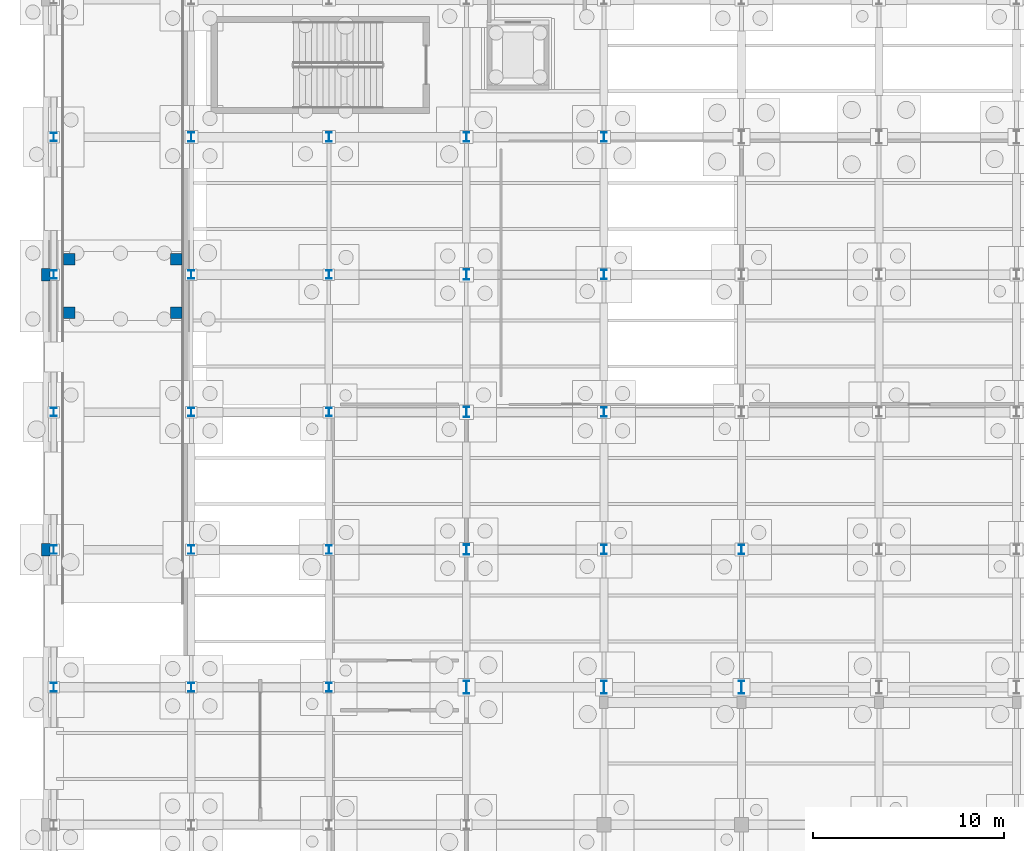
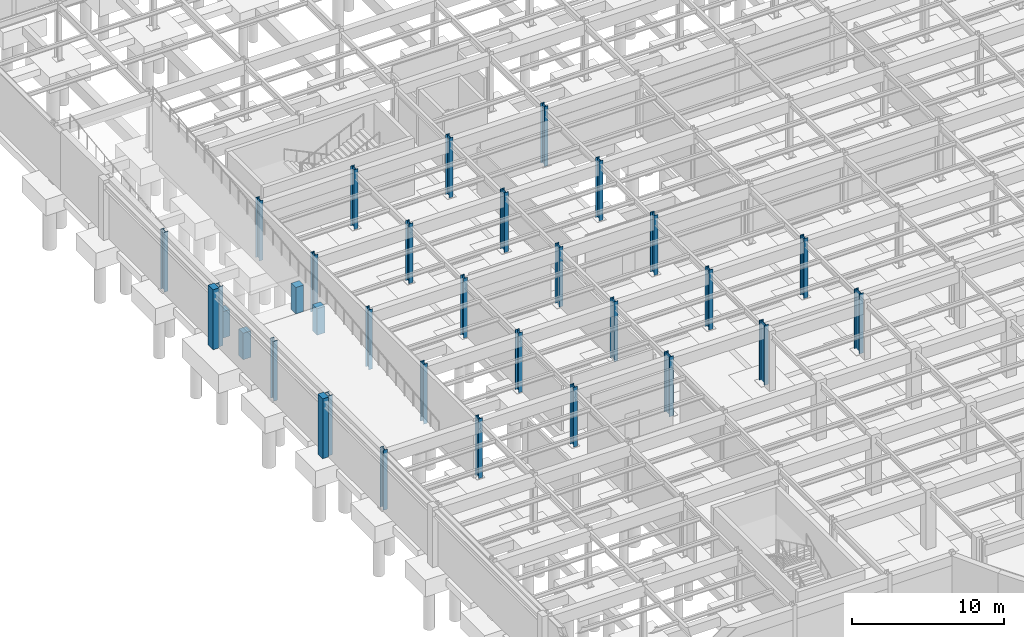
# One storey, part 23 of 64: 33 columns.
"""IFC4 building model written with IfcOpenShell, lengths in metres."""

import ifcopenshell
import ifcopenshell.guid

model = None  # the IFC model being written
_history = None  # IfcOwnerHistory: only IFC2X3 demands one
_inside = {}  # id of a spatial element -> (the spatial element, [elements in it])
_under = {}  # id of a project, library or spatial element -> (it, [spatial elements below it])
_declared = {}  # id of a project -> (the project, [libraries it declares])
_typed = {}  # id of a type object -> (the type object, [elements of that type])
_made_of = {}  # id of a material, layer set ... -> (it, [elements and type objects made of it])


def new_model(schema):
    """Start an empty IFC model of exactly this schema.

    Asked for "IFC4X3", IfcOpenShell would pick the latest addendum, in which some entities
    have other attributes; the version numbers below select the first issue.
    IFC2X3 requires an IfcOwnerHistory on every rooted entity: one is made here for all.
    """
    global model, _history
    if schema == "IFC4X3":
        model = ifcopenshell.file(schema_version=(4, 3, 0, 0))
    else:
        model = ifcopenshell.file(schema=schema)
    _inside.clear()
    _under.clear()
    _declared.clear()
    _typed.clear()
    _made_of.clear()
    _history = None
    if model.schema == "IFC2X3":
        org = make("IfcOrganization", Name="unknown")
        user = make(
            "IfcPersonAndOrganization",
            ThePerson=make("IfcPerson", FamilyName="unknown"),
            TheOrganization=org,
        )
        app = make(
            "IfcApplication",
            ApplicationDeveloper=org,
            Version="unknown",
            ApplicationFullName="unknown",
            ApplicationIdentifier="unknown",
        )
        _history = make(
            "IfcOwnerHistory",
            OwningUser=user,
            OwningApplication=app,
            ChangeAction="ADDED",
            CreationDate=0,
        )
    return model


def make(cls, **values):
    """One entity of the class cls with the attributes given. An attribute that is None is left unset."""
    return model.create_entity(
        cls, **{name: value for name, value in values.items() if value is not None}
    )


def rooted(cls, **values):
    """An entity with a GlobalId (a new one), such as an element, a storey or a relation."""
    return make(cls, GlobalId=ifcopenshell.guid.new(), OwnerHistory=_history, **values)


def si_unit(unit_type, name, prefix=None):
    """IfcSIUnit, for example si_unit("LENGTHUNIT", "METRE", prefix="MILLI")."""
    return make("IfcSIUnit", UnitType=unit_type, Prefix=prefix, Name=name)


def assignment(units):
    """IfcUnitAssignment: the units of a project."""
    return None if units is None else make("IfcUnitAssignment", Units=units)


def point(xyz):
    """IfcCartesianPoint."""
    return None if xyz is None else make("IfcCartesianPoint", Coordinates=xyz)


def direction(xyz):
    """IfcDirection."""
    return None if xyz is None else make("IfcDirection", DirectionRatios=xyz)


def frame(location, z_axis=None, x_axis=None):
    """IfcAxis2Placement3D, a coordinate frame: its origin and axes. An axis left out is left unset."""
    return make(
        "IfcAxis2Placement3D",
        Location=point(location),
        Axis=direction(z_axis),
        RefDirection=direction(x_axis),
    )


def frame_2d(location, x_axis=None):
    """IfcAxis2Placement2D, a coordinate frame in the plane: its origin and x axis."""
    return make(
        "IfcAxis2Placement2D", Location=point(location), RefDirection=direction(x_axis)
    )


def origin():
    """The frame at (0, 0, 0) with its axes left unset."""
    return frame((0.0, 0.0, 0.0))


def origin_2d():
    """The frame at (0, 0) in the plane with its x axis left unset."""
    return frame_2d((0.0, 0.0))


def place(relative_to, where):
    """IfcLocalPlacement: puts the frame where relative to a parent placement (None: the world)."""
    return make(
        "IfcLocalPlacement", PlacementRelTo=relative_to, RelativePlacement=where
    )


def context(
    kind, dimensions, precision=None, world=None, true_north=None, identifier=None
):
    """IfcGeometricRepresentationContext, for example the 3D "Model" context."""
    return make(
        "IfcGeometricRepresentationContext",
        ContextIdentifier=identifier,
        ContextType=kind,
        CoordinateSpaceDimension=dimensions,
        Precision=precision,
        WorldCoordinateSystem=world,
        TrueNorth=true_north,
    )


def subcontext(parent, identifier, kind, view, scale=None):
    """IfcGeometricRepresentationSubContext, for example "Body" below "Model"."""
    return make(
        "IfcGeometricRepresentationSubContext",
        ContextIdentifier=identifier,
        ContextType=kind,
        ParentContext=parent,
        TargetScale=scale,
        TargetView=view,
    )


def project(units=None, contexts=None):
    """IfcProject with its units and contexts."""
    return rooted(
        "IfcProject",
        Name="project",
        RepresentationContexts=contexts,
        UnitsInContext=assignment(units),
    )


def spatial(cls, under=None, at=None, **own):
    """A site, building, storey or space (cls), placed at a placement, below another one or the project."""
    s = rooted(cls, ObjectPlacement=at, **own)
    if under is not None:
        _under.setdefault(under.id(), (under, []))[1].append(s)
    return s


def profile(cls, at=None, kind="AREA", **sizes):
    """A parametric profile (cls). Its sizes go by their IFC names, for example OverallWidth=200.0."""
    return make(cls, ProfileType=kind, Position=at, **sizes)


def rectangle(**sizes):
    """IfcRectangleProfileDef."""
    return profile("IfcRectangleProfileDef", **sizes)


def i_section(**sizes):
    """IfcIShapeProfileDef."""
    return profile("IfcIShapeProfileDef", **sizes)


def extrude(swept, where, along, depth):
    """IfcExtrudedAreaSolid: the profile swept, set in the frame where, extruded along a direction by depth."""
    return make(
        "IfcExtrudedAreaSolid",
        SweptArea=swept,
        Position=where,
        ExtrudedDirection=direction(along),
        Depth=depth,
    )


def shape(context_of_items, identifier, shape_type, items):
    """IfcShapeRepresentation: the items that make up one representation, for example the "Body"."""
    return make(
        "IfcShapeRepresentation",
        ContextOfItems=context_of_items,
        RepresentationIdentifier=identifier,
        RepresentationType=shape_type,
        Items=items,
    )


def material(Name=None, Category=None):
    """IfcMaterial."""
    return make("IfcMaterial", Name=Name, Category=Category)


def material_profile(
    of_material, cross_section, Name=None, Category=None, Priority=None
):
    """IfcMaterialProfile: a cross section and its material."""
    return make(
        "IfcMaterialProfile",
        Name=Name,
        Material=of_material,
        Profile=cross_section,
        Priority=Priority,
        Category=Category,
    )


def profile_set(profiles, Name=None, composite=None):
    """IfcMaterialProfileSet."""
    return make(
        "IfcMaterialProfileSet",
        Name=Name,
        MaterialProfiles=profiles,
        CompositeProfile=composite,
    )


def made_of(thing, what):
    """Note that an element or type object is made of a material, layer set ...; save() writes the relation."""
    if what is not None:
        _made_of.setdefault(what.id(), (what, []))[1].append(thing)
    return thing


def type_object(cls, material=None, **own):
    """A type object (cls), such as IfcWallType, which elements share."""
    return made_of(rooted(cls, **own), material)


def element(
    cls,
    number,
    at=None,
    inside=None,
    cuts=None,
    type_object=None,
    material=None,
    context=None,
    identifier="Body",
    shape_type=None,
    held_by="IfcProductDefinitionShape",
    body=None,
    shapes=None,
    **own,
):
    """One element of the class cls, such as IfcWall. Its Tag is "e" and its number.

    at: its placement. inside: the storey or other place that contains it. cuts: it is an
    opening in that element (IfcRelVoidsElement). A single representation is given by context,
    identifier, shape_type and body (its items); several are given by shapes. held_by: the class
    of the entity that holds the representations. save() writes the other relations.
    """
    e = rooted(cls, Tag="e%d" % number, ObjectPlacement=at, **own)
    if body is not None:
        shapes = [shape(context, identifier, shape_type, body)]
    if shapes is not None:
        e.Representation = make(held_by, Representations=shapes)
    if inside is not None:
        _inside.setdefault(inside.id(), (inside, []))[1].append(e)
    if cuts is not None:
        rooted(
            "IfcRelVoidsElement", RelatingBuildingElement=cuts, RelatedOpeningElement=e
        )
    if type_object is not None:
        _typed.setdefault(type_object.id(), (type_object, []))[1].append(e)
    return made_of(e, material)


def aggregate(whole, parts):
    """IfcRelAggregates: a whole, such as a stair, and the parts it consists of."""
    return rooted("IfcRelAggregates", RelatingObject=whole, RelatedObjects=parts)


def save(model, path):
    """Write the relations noted so far, then the file.

    IfcRelAggregates (storeys below a building ...), IfcRelContainedInSpatialStructure (elements
    in a storey), IfcRelDefinesByType, IfcRelAssociatesMaterial and IfcRelDeclares: one each for
    every whole, place, type object, material and project.
    """
    for whole, parts in _under.values():
        aggregate(whole, parts)
    for where, things in _inside.values():
        rooted(
            "IfcRelContainedInSpatialStructure",
            RelatedElements=things,
            RelatingStructure=where,
        )
    for kind, things in _typed.values():
        rooted("IfcRelDefinesByType", RelatedObjects=things, RelatingType=kind)
    for what, things in _made_of.values():
        rooted("IfcRelAssociatesMaterial", RelatedObjects=things, RelatingMaterial=what)
    for by, libraries in _declared.values():
        rooted("IfcRelDeclares", RelatingContext=by, RelatedDefinitions=libraries)
    model.write(path)


model = new_model("IFC4")

# Units and contexts
model_context = context("Model", 3, precision=1e-05, world=origin(), true_north=direction((0.0, 1.0)))
body_context = subcontext(model_context, "Body", "Model", "MODEL_VIEW")
ifc_project = project(units=[si_unit("LENGTHUNIT", "METRE"), si_unit("AREAUNIT", "SQUARE_METRE"), si_unit("VOLUMEUNIT", "CUBIC_METRE"), si_unit("PLANEANGLEUNIT", "RADIAN"), si_unit("MASSUNIT", "GRAM", prefix="KILO")], contexts=[model_context])

# Site, building, storey
site_placement = place(None, origin())
site = spatial("IfcSite", under=ifc_project, at=site_placement, CompositionType="ELEMENT")
building_placement = place(site_placement, origin())
building = spatial("IfcBuilding", under=site, at=building_placement, Name="Solvadek Multi-Sports Hall", CompositionType="ELEMENT")
storey_placement = place(building_placement, frame((0.0, 0.0, -4.800048828125)))
storey = spatial("IfcBuildingStorey", under=building, at=storey_placement, Name="B1", CompositionType="ELEMENT", Elevation=-4.800048828125)

# Columns
ifc_material_1 = material(Name="Concrete M40", Category="concrete")
ifc_material_profile_1 = material_profile(ifc_material_1, rectangle(XDim=0.60009765625, YDim=0.60009765625, at=origin_2d()), Name="RC 600x600")
ifc_profile_set_1 = profile_set([ifc_material_profile_1], Name="Concrete M40")
column_type_1 = type_object("IfcColumnType", Name="STR-COL-RC600", PredefinedType="COLUMN", material=ifc_profile_set_1)
for number, where, z_axis, x_axis, name in (
    (1, (0.800048828125, 68.800048828125, 0.0), (0.0, 0.0, 1.0), (1.0, 0.0, 0.0), "VR-01 Landing Pier #1"),
    (2, (6.39990234375, 68.800048828125, 0.0), (0.0, 0.0, 1.0), (1.0, 0.0, 0.0), "VR-01 Landing Pier #2"),
    (3, (0.800048828125, 71.60009765625, 0.0), (0.0, 0.0, 1.0), (1.0, 0.0, 0.0), "VR-01 Landing Pier #3"),
    (4, (6.39990234375, 71.60009765625, 0.0), (0.0, 0.0, 1.0), (1.0, 0.0, 0.0), "VR-01 Landing Pier #4"),
):
    element("IfcColumn", number, at=place(storey_placement, frame(where, z_axis=z_axis, x_axis=x_axis)), inside=storey, type_object=column_type_1, Name=name, PredefinedType="COLUMN", context=body_context, shape_type="SweptSolid", body=[
        extrude(rectangle(XDim=0.60009765625, YDim=0.60009765625, at=origin_2d()), origin(), (0.0, 0.0, 1.0), 2.1201171875),
    ])
ifc_material_2 = material(Name="Steel E350 (350 MPa)", Category="steel")
ifc_material_profile_2 = material_profile(ifc_material_2, i_section(OverallWidth=0.300048828125, OverallDepth=0.449951171875, WebThickness=0.013916015625, FlangeThickness=0.02587890625, at=origin_2d()), Name="WPB 450")
ifc_profile_set_2 = profile_set([ifc_material_profile_2], Name="Steel E350 (350 MPa)")
column_type_2 = type_object("IfcColumnType", Name="STR-COL-WPB450", PredefinedType="COLUMN", material=ifc_profile_set_2)
for number, where, z_axis, x_axis, name in (
    (5, (0.0, 49.199951171875, 0.0), (0.0, 0.0, 1.0), (1.0, 0.0, 0.0), "B1 Column C-06 #5"),
    (6, (0.0, 56.39990234375, 0.0), (0.0, 0.0, 1.0), (1.0, 0.0, 0.0), "B1 Column C-06 #6"),
    (7, (0.0, 63.60009765625, 0.0), (0.0, 0.0, 1.0), (1.0, 0.0, 0.0), "B1 Column C-06 #7"),
    (8, (0.0, 70.800048828125, 0.0), (0.0, 0.0, 1.0), (1.0, 0.0, 0.0), "B1 Column C-06 #8"),
    (9, (0.0, 78.0, 0.0), (0.0, 0.0, 1.0), (1.0, 0.0, 0.0), "B1 Column C-06 #9"),
    (10, (7.199951171875, 49.199951171875, 0.0), (0.0, 0.0, 1.0), (1.0, 0.0, 0.0), "B1 Column C-06 #18"),
    (11, (7.199951171875, 56.39990234375, 0.0), (0.0, 0.0, 1.0), (1.0, 0.0, 0.0), "B1 Column C-06 #19"),
    (12, (7.199951171875, 63.60009765625, 0.0), (0.0, 0.0, 1.0), (1.0, 0.0, 0.0), "B1 Column C-06 #20"),
    (13, (7.199951171875, 70.800048828125, 0.0), (0.0, 0.0, 1.0), (1.0, 0.0, 0.0), "B1 Column C-06 #21"),
    (14, (14.39990234375, 49.199951171875, 0.0), (0.0, 0.0, 1.0), (1.0, 0.0, 0.0), "B1 Column C-06 #31"),
    (15, (14.39990234375, 56.39990234375, 0.0), (0.0, 0.0, 1.0), (1.0, 0.0, 0.0), "B1 Column C-06 #32"),
    (16, (14.39990234375, 63.60009765625, 0.0), (0.0, 0.0, 1.0), (1.0, 0.0, 0.0), "B1 Column C-06 #33"),
    (17, (14.39990234375, 70.800048828125, 0.0), (0.0, 0.0, 1.0), (1.0, 0.0, 0.0), "B1 Column C-06 #34"),
):
    element("IfcColumn", number, at=place(storey_placement, frame(where, z_axis=z_axis, x_axis=x_axis)), inside=storey, type_object=column_type_2, Name=name, PredefinedType="COLUMN", context=body_context, shape_type="SweptSolid", body=[
        extrude(i_section(OverallWidth=0.300048828125, OverallDepth=0.449951171875, WebThickness=0.013916015625, FlangeThickness=0.02587890625, at=origin_2d()), origin(), (0.0, 0.0, 1.0), 4.800048828125),
    ])
ifc_material_profile_3 = material_profile(ifc_material_2, i_section(OverallWidth=0.300048828125, OverallDepth=0.5, WebThickness=0.014404296875, FlangeThickness=0.028076171875, at=origin_2d()), Name="WPB 500")
ifc_profile_set_3 = profile_set([ifc_material_profile_3], Name="Steel E350 (350 MPa)")
column_type_3 = type_object("IfcColumnType", Name="STR-COL-WPB500", PredefinedType="COLUMN", material=ifc_profile_set_3)
for number, where, z_axis, x_axis, name in (
    (18, (7.199951171875, 78.0, 0.0), (0.0, 0.0, 1.0), (1.0, 0.0, 0.0), "B1 Column C-05 #22"),
    (19, (14.39990234375, 78.0, 0.0), (0.0, 0.0, 1.0), (1.0, 0.0, 0.0), "B1 Column C-05 #35"),
    (20, (21.60009765625, 78.0, 0.0), (0.0, 0.0, 1.0), (1.0, 0.0, 0.0), "B1 Column C-05 #48"),
    (21, (28.800048828125, 56.39990234375, 0.0), (0.0, 0.0, 1.0), (1.0, 0.0, 0.0), "B1 Column C-05 #58"),
    (22, (28.800048828125, 63.60009765625, 0.0), (0.0, 0.0, 1.0), (1.0, 0.0, 0.0), "B1 Column C-05 #59"),
    (23, (28.800048828125, 70.800048828125, 0.0), (0.0, 0.0, 1.0), (1.0, 0.0, 0.0), "B1 Column C-05 #60"),
    (24, (28.800048828125, 78.0, 0.0), (0.0, 0.0, 1.0), (1.0, 0.0, 0.0), "B1 Column C-05 #61"),
    (25, (36.0, 56.39990234375, 0.0), (0.0, 0.0, 1.0), (1.0, 0.0, 0.0), "B1 Column C-05 #73"),
):
    element("IfcColumn", number, at=place(storey_placement, frame(where, z_axis=z_axis, x_axis=x_axis)), inside=storey, type_object=column_type_3, Name=name, PredefinedType="COLUMN", context=body_context, shape_type="SweptSolid", body=[
        extrude(i_section(OverallWidth=0.300048828125, OverallDepth=0.5, WebThickness=0.014404296875, FlangeThickness=0.028076171875, at=origin_2d()), origin(), (0.0, 0.0, 1.0), 4.800048828125),
    ])
ifc_material_profile_4 = material_profile(ifc_material_2, i_section(OverallWidth=0.300048828125, OverallDepth=0.550048828125, WebThickness=0.014892578125, FlangeThickness=0.029052734375, at=origin_2d()), Name="WPB 550")
ifc_profile_set_4 = profile_set([ifc_material_profile_4], Name="Steel E350 (350 MPa)")
column_type_4 = type_object("IfcColumnType", Name="STR-COL-WPB550", PredefinedType="COLUMN", material=ifc_profile_set_4)
for number, where, z_axis, x_axis, name in (
    (26, (21.60009765625, 56.39990234375, 0.0), (0.0, 0.0, 1.0), (1.0, 0.0, 0.0), "B1 Column C-04 #45"),
    (27, (21.60009765625, 63.60009765625, 0.0), (0.0, 0.0, 1.0), (1.0, 0.0, 0.0), "B1 Column C-04 #46"),
    (28, (21.60009765625, 70.800048828125, 0.0), (0.0, 0.0, 1.0), (1.0, 0.0, 0.0), "B1 Column C-04 #47"),
):
    element("IfcColumn", number, at=place(storey_placement, frame(where, z_axis=z_axis, x_axis=x_axis)), inside=storey, type_object=column_type_4, Name=name, PredefinedType="COLUMN", context=body_context, shape_type="SweptSolid", body=[
        extrude(i_section(OverallWidth=0.300048828125, OverallDepth=0.550048828125, WebThickness=0.014892578125, FlangeThickness=0.029052734375, at=origin_2d()), origin(), (0.0, 0.0, 1.0), 4.800048828125),
    ])
ifc_material_profile_5 = material_profile(ifc_material_2, i_section(OverallWidth=0.300048828125, OverallDepth=0.699951171875, WebThickness=0.01708984375, FlangeThickness=0.031982421875, at=origin_2d()), Name="WPB 700")
ifc_profile_set_5 = profile_set([ifc_material_profile_5], Name="Steel E350 (350 MPa)")
column_type_5 = type_object("IfcColumnType", Name="STR-COL-WPB700", PredefinedType="COLUMN", material=ifc_profile_set_5)
for number, where, z_axis, x_axis, name in (
    (29, (21.60009765625, 49.199951171875, 0.0), (0.0, 0.0, 1.0), (1.0, 0.0, 0.0), "B1 Column C-02 #44"),
    (30, (28.800048828125, 49.199951171875, 0.0), (0.0, 0.0, 1.0), (1.0, 0.0, 0.0), "B1 Column C-02 #57"),
    (31, (36.0, 49.199951171875, 0.0), (0.0, 0.0, 1.0), (1.0, 0.0, 0.0), "B1 Column C-02 #72"),
):
    element("IfcColumn", number, at=place(storey_placement, frame(where, z_axis=z_axis, x_axis=x_axis)), inside=storey, type_object=column_type_5, Name=name, PredefinedType="COLUMN", context=body_context, shape_type="SweptSolid", body=[
        extrude(i_section(OverallWidth=0.300048828125, OverallDepth=0.699951171875, WebThickness=0.01708984375, FlangeThickness=0.031982421875, at=origin_2d()), origin(), (0.0, 0.0, 1.0), 4.800048828125),
    ])
ifc_material_3 = material(Name="Precast concrete M40", Category="concrete")
ifc_material_profile_6 = material_profile(ifc_material_3, rectangle(XDim=0.449951171875, YDim=0.64990234375, at=origin_2d()), Name="RC PILASTER 650x450")
ifc_profile_set_6 = profile_set([ifc_material_profile_6], Name="Precast concrete M40")
column_type_6 = type_object("IfcColumnType", Name="STR-PIL-650X450", PredefinedType="PILASTER", material=ifc_profile_set_6)
for number, where, z_axis, x_axis, name in (
    (32, (-0.419921875, 56.39990234375, 0.0), (0.0, 0.0, 1.0), (1.0, 0.0, 0.0), "B1 Column CP-01 #314"),
    (33, (-0.419921875, 70.800048828125, 0.0), (0.0, 0.0, 1.0), (1.0, 0.0, 0.0), "B1 Column CP-01 #315"),
):
    element("IfcColumn", number, at=place(storey_placement, frame(where, z_axis=z_axis, x_axis=x_axis)), inside=storey, type_object=column_type_6, Name=name, PredefinedType="PILASTER", context=body_context, shape_type="SweptSolid", body=[
        extrude(rectangle(XDim=0.449951171875, YDim=0.64990234375, at=origin_2d()), origin(), (0.0, 0.0, 1.0), 4.800048828125),
    ])

save(model, "model.ifc")
